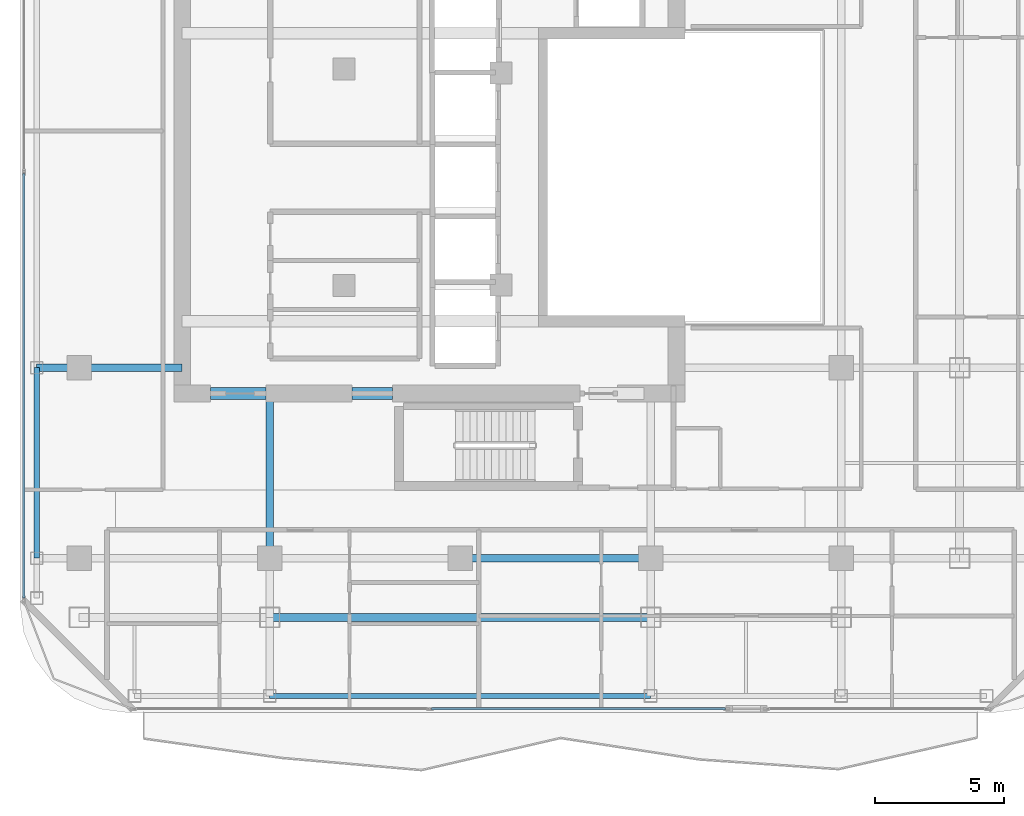
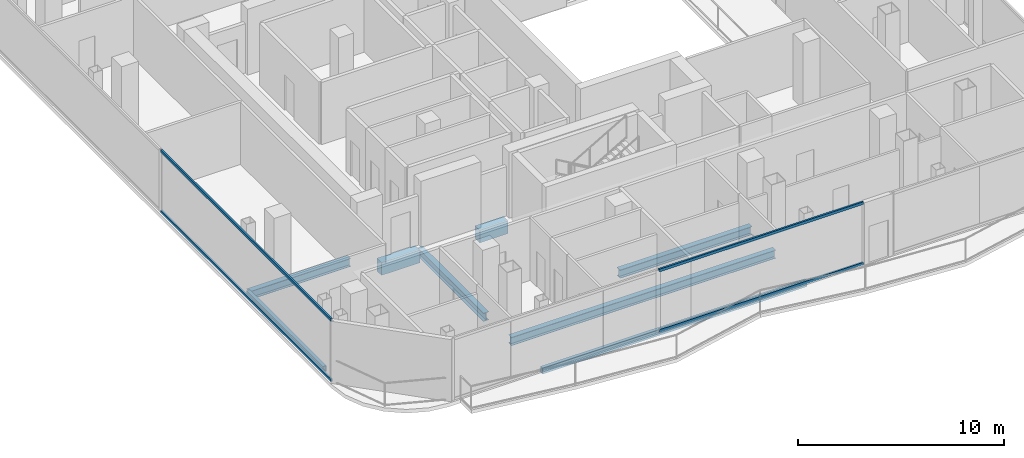
# One storey, part 3 of 22: 8 beams, 4 members, 2 elements without a shape of their own.
"""IFC4 building model written with IfcOpenShell, lengths in metres."""

from ifc_helpers import new_model, si_unit, direction, frame, origin, origin_2d, place, context, subcontext, project, spatial, rectangle, hollow_rectangle, i_section, extrude, material, layer, layer_set, material_profile, profile_set, type_object, element, aggregate, save


model = new_model("IFC4")

# Units and contexts
model_context = context("Model", 3, precision=1e-05, world=origin(), true_north=direction((0.0, 1.0)))
body_context = subcontext(model_context, "Body", "Model", "MODEL_VIEW")
ifc_project = project(units=[si_unit("LENGTHUNIT", "METRE"), si_unit("AREAUNIT", "SQUARE_METRE"), si_unit("VOLUMEUNIT", "CUBIC_METRE"), si_unit("PLANEANGLEUNIT", "RADIAN"), si_unit("MASSUNIT", "GRAM", prefix="KILO")], contexts=[model_context])

# Site, building, storey
site_placement = place(None, origin())
site = spatial("IfcSite", under=ifc_project, at=site_placement, CompositionType="ELEMENT")
building_placement = place(site_placement, origin())
building = spatial("IfcBuilding", under=site, at=building_placement, Name="Khorvyn Point Tower", CompositionType="ELEMENT")
storey_placement = place(building_placement, frame((0.0, 0.0, 278.10009765625)))
storey = spatial("IfcBuildingStorey", under=building, at=storey_placement, Name="L68", CompositionType="ELEMENT", Elevation=278.10009765625)

# Curtain wall, members
ifc_material_1 = material(Name="Anodised aluminium 6063-T6 and laminated Low-E glass", Category="aluminium")
ifc_layer = layer(ifc_material_1, 0.18994140625)
ifc_layer_set = layer_set([ifc_layer], Name="Stick-Built High-Wind Curtain Wall CW-SYS-04")
curtain_wall_type = type_object("IfcCurtainWallType", Name="Stick-Built High-Wind Curtain Wall CW-SYS-04", PredefinedType="NOTDEFINED", material=ifc_layer_set)
curtain_wall_1_placement = place(storey_placement, origin())
curtain_wall_1 = element("IfcCurtainWall", 1, at=curtain_wall_1_placement, inside=storey, type_object=curtain_wall_type, Name="Curtain Wall", PredefinedType="NOTDEFINED")
ifc_material_2 = material(Name="Anodised aluminium 6063-T6", Category="aluminium")
ifc_material_profile_1 = material_profile(ifc_material_2, hollow_rectangle(XDim=0.10009765625, YDim=0.159912109375, WallThickness=0.00439453125, at=origin_2d()))
ifc_profile_set_1 = profile_set([ifc_material_profile_1], Name="Anodised aluminium 6063-T6 ALU-TRN-100x160")
member_type = type_object("IfcMemberType", Name="Anodised Aluminium 6063-T6 Transom ALU-TRN-100x160", PredefinedType="USERDEFINED", material=ifc_profile_set_1)
member_1_placement = place(storey_placement, frame((10.303955078125, -20.64990234375, 0.0498046875), z_axis=(-1.0, 0.0, 0.0), x_axis=(0.0, -1.0, 0.0)))
member_1 = element("IfcMember", 2, at=member_1_placement, type_object=member_type, Name="Transom", ObjectType="TRANSOM", PredefinedType="USERDEFINED", context=body_context, shape_type="SweptSolid", body=[
    extrude(hollow_rectangle(XDim=0.10009765625, YDim=0.159912109375, WallThickness=0.00439453125, at=origin_2d()), origin(), (0.0, 0.0, 1.0), 11.427001953125),
])
member_2_placement = place(storey_placement, frame((10.303955078125, -20.64990234375, 3.6298828125), z_axis=(-1.0, 0.0, 0.0), x_axis=(0.0, -1.0, 0.0)))
member_2 = element("IfcMember", 3, at=member_2_placement, type_object=member_type, Name="Transom", ObjectType="TRANSOM", PredefinedType="USERDEFINED", context=body_context, shape_type="SweptSolid", body=[
    extrude(hollow_rectangle(XDim=0.10009765625, YDim=0.159912109375, WallThickness=0.00439453125, at=origin_2d()), origin(), (0.0, 0.0, 1.0), 11.427001953125),
])
aggregate(curtain_wall_1, [member_1, member_2])

curtain_wall_2_placement = place(storey_placement, origin())
curtain_wall_2 = element("IfcCurtainWall", 4, at=curtain_wall_2_placement, inside=storey, type_object=curtain_wall_type, Name="Curtain Wall", PredefinedType="NOTDEFINED")
member_3_placement = place(storey_placement, frame((-16.949951171875, -16.35009765625, 0.0498046875), z_axis=(0.0, 1.0, 0.0), x_axis=(-1.0, 0.0, 0.0)))
member_3 = element("IfcMember", 5, at=member_3_placement, type_object=member_type, Name="Transom", ObjectType="TRANSOM", PredefinedType="USERDEFINED", context=body_context, shape_type="SweptSolid", body=[
    extrude(hollow_rectangle(XDim=0.10009765625, YDim=0.159912109375, WallThickness=0.00439453125, at=origin_2d()), origin(), (0.0, 0.0, 1.0), 16.5),
])
member_4_placement = place(storey_placement, frame((-16.949951171875, -16.35009765625, 3.6298828125), z_axis=(0.0, 1.0, 0.0), x_axis=(-1.0, 0.0, 0.0)))
member_4 = element("IfcMember", 6, at=member_4_placement, type_object=member_type, Name="Transom", ObjectType="TRANSOM", PredefinedType="USERDEFINED", context=body_context, shape_type="SweptSolid", body=[
    extrude(hollow_rectangle(XDim=0.10009765625, YDim=0.159912109375, WallThickness=0.00439453125, at=origin_2d()), origin(), (0.0, 0.0, 1.0), 16.5),
])
aggregate(curtain_wall_2, [member_3, member_4])

# Beams
ifc_material_3 = material(Name="Concrete C40/50", Category="concrete")
ifc_material_profile_2 = material_profile(ifc_material_3, rectangle(XDim=0.449951171875, YDim=0.75, at=origin_2d()))
ifc_profile_set_2 = profile_set([ifc_material_profile_2], Name="Concrete C40/50 RC450x750")
beam_type_1 = type_object("IfcBeamType", Name="Concrete C40/50 Beam RC450x750", PredefinedType="BEAM", material=ifc_profile_set_2)
beam_1_placement = place(storey_placement, frame((-9.699951171875, -8.39990234375, -0.59521484375), z_axis=(1.0, 0.0, 0.0), x_axis=(0.0, 1.0, 0.0)))
element("IfcBeam", 7, at=beam_1_placement, inside=storey, type_object=beam_type_1, Name="L68 Core Southwest Portal Coupling Beam", PredefinedType="BEAM", context=body_context, shape_type="SweptSolid", body=[
    extrude(rectangle(XDim=0.449951171875, YDim=0.75, at=origin_2d()), origin(), (0.0, 0.0, 1.0), 2.14990234375),
])
beam_2_placement = place(storey_placement, frame((-4.199951171875, -8.39990234375, -0.59521484375), z_axis=(1.0, 0.0, 0.0), x_axis=(0.0, 1.0, 0.0)))
element("IfcBeam", 8, at=beam_2_placement, inside=storey, type_object=beam_type_1, Name="L68 Core Shuttle Portal Coupling Beam", PredefinedType="BEAM", context=body_context, shape_type="SweptSolid", body=[
    extrude(rectangle(XDim=0.449951171875, YDim=0.75, at=origin_2d()), origin(), (0.0, 0.0, 1.0), 1.579833984375),
])
ifc_material_4 = material(Name="Steel S355", Category="steel")
ifc_material_profile_3 = material_profile(ifc_material_4, i_section(OverallWidth=0.300048828125, OverallDepth=0.488037109375, WebThickness=0.010986328125, FlangeThickness=0.01806640625, at=origin_2d()))
ifc_profile_set_3 = profile_set([ifc_material_profile_3], Name="Steel S355 H488x300x11x18")
beam_type_2 = type_object("IfcBeamType", Name="Steel S355 Spandrel H488x300x11x18", PredefinedType="SPANDREL", material=ifc_profile_set_3)
beam_3_placement = place(storey_placement, frame((0.0, -14.800048828125, -0.464111328125), z_axis=(1.0, 0.0, 0.0), x_axis=(0.0, 1.0, 0.0)))
element("IfcBeam", 9, at=beam_3_placement, inside=storey, type_object=beam_type_2, Name="Beam", PredefinedType="SPANDREL", context=body_context, shape_type="SweptSolid", body=[
    extrude(i_section(OverallWidth=0.300048828125, OverallDepth=0.488037109375, WebThickness=0.010986328125, FlangeThickness=0.01806640625, at=origin_2d()), origin(), (0.0, 0.0, 1.0), 7.39990234375),
])
beam_4_placement = place(storey_placement, frame((-16.449951171875, -7.39990234375, -0.464111328125), z_axis=(1.0, 0.0, 0.0), x_axis=(0.0, 1.0, 0.0)))
element("IfcBeam", 10, at=beam_4_placement, inside=storey, type_object=beam_type_2, Name="Beam", PredefinedType="SPANDREL", context=body_context, shape_type="SweptSolid", body=[
    extrude(i_section(OverallWidth=0.300048828125, OverallDepth=0.488037109375, WebThickness=0.010986328125, FlangeThickness=0.01806640625, at=origin_2d()), origin(), (0.0, 0.0, 1.0), 5.64990234375),
])
beam_5_placement = place(storey_placement, frame((-7.39990234375, -17.10009765625, -0.464111328125), z_axis=(1.0, 0.0, 0.0), x_axis=(0.0, 1.0, 0.0)))
element("IfcBeam", 11, at=beam_5_placement, inside=storey, type_object=beam_type_2, Name="Beam", PredefinedType="SPANDREL", context=body_context, shape_type="SweptSolid", body=[
    extrude(i_section(OverallWidth=0.300048828125, OverallDepth=0.488037109375, WebThickness=0.010986328125, FlangeThickness=0.01806640625, at=origin_2d()), origin(), (0.0, 0.0, 1.0), 14.7998046875),
])
beam_6_placement = place(storey_placement, frame((-7.39990234375, -14.800048828125, -0.464111328125), z_axis=(0.0, 1.0, 0.0), x_axis=(-1.0, 0.0, 0.0)))
element("IfcBeam", 12, at=beam_6_placement, inside=storey, type_object=beam_type_2, Name="Beam", PredefinedType="SPANDREL", context=body_context, shape_type="SweptSolid", body=[
    extrude(i_section(OverallWidth=0.300048828125, OverallDepth=0.488037109375, WebThickness=0.010986328125, FlangeThickness=0.01806640625, at=origin_2d()), origin(), (0.0, 0.0, 1.0), 6.400146484375),
])
ifc_material_profile_4 = material_profile(ifc_material_4, hollow_rectangle(XDim=0.199951171875, YDim=0.35009765625, WallThickness=0.013916015625, at=origin_2d()))
ifc_profile_set_4 = profile_set([ifc_material_profile_4], Name="Steel S355 RHS350x200x14")
beam_type_3 = type_object("IfcBeamType", Name="Steel S355 Spandrel RHS350x200x14", PredefinedType="SPANDREL", material=ifc_profile_set_4)
beam_7_placement = place(storey_placement, frame((-7.39990234375, -20.14990234375, -0.39501953125), z_axis=(1.0, 0.0, 0.0), x_axis=(0.0, 1.0, 0.0)))
element("IfcBeam", 13, at=beam_7_placement, inside=storey, type_object=beam_type_3, Name="Beam", PredefinedType="SPANDREL", context=body_context, shape_type="SweptSolid", body=[
    extrude(hollow_rectangle(XDim=0.199951171875, YDim=0.35009765625, WallThickness=0.013916015625, at=origin_2d()), origin(), (0.0, 0.0, 1.0), 14.7998046875),
])
beam_8_placement = place(storey_placement, frame((-16.449951171875, -14.800048828125, -0.39501953125), z_axis=(0.0, 1.0, 0.0), x_axis=(-1.0, 0.0, 0.0)))
element("IfcBeam", 14, at=beam_8_placement, inside=storey, type_object=beam_type_3, Name="Beam", PredefinedType="SPANDREL", context=body_context, shape_type="SweptSolid", body=[
    extrude(hollow_rectangle(XDim=0.199951171875, YDim=0.35009765625, WallThickness=0.013916015625, at=origin_2d()), origin(), (0.0, 0.0, 1.0), 7.400146484375),
])

save(model, "model.ifc")
